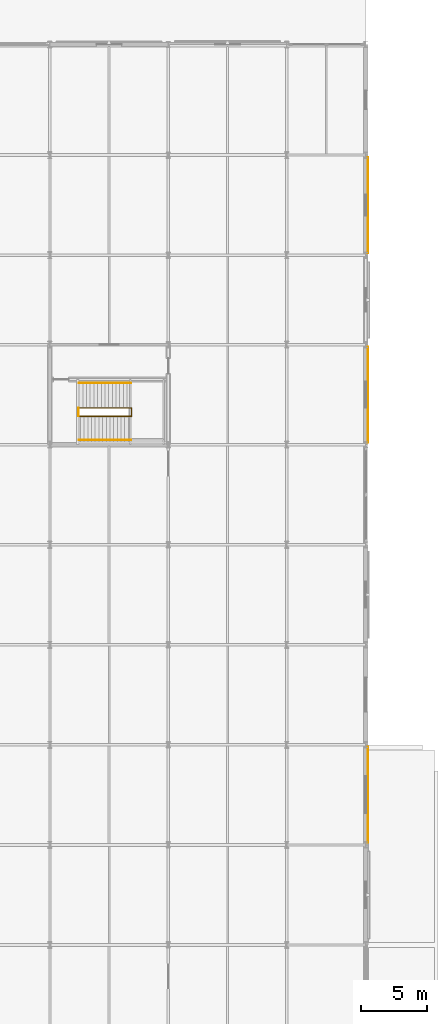
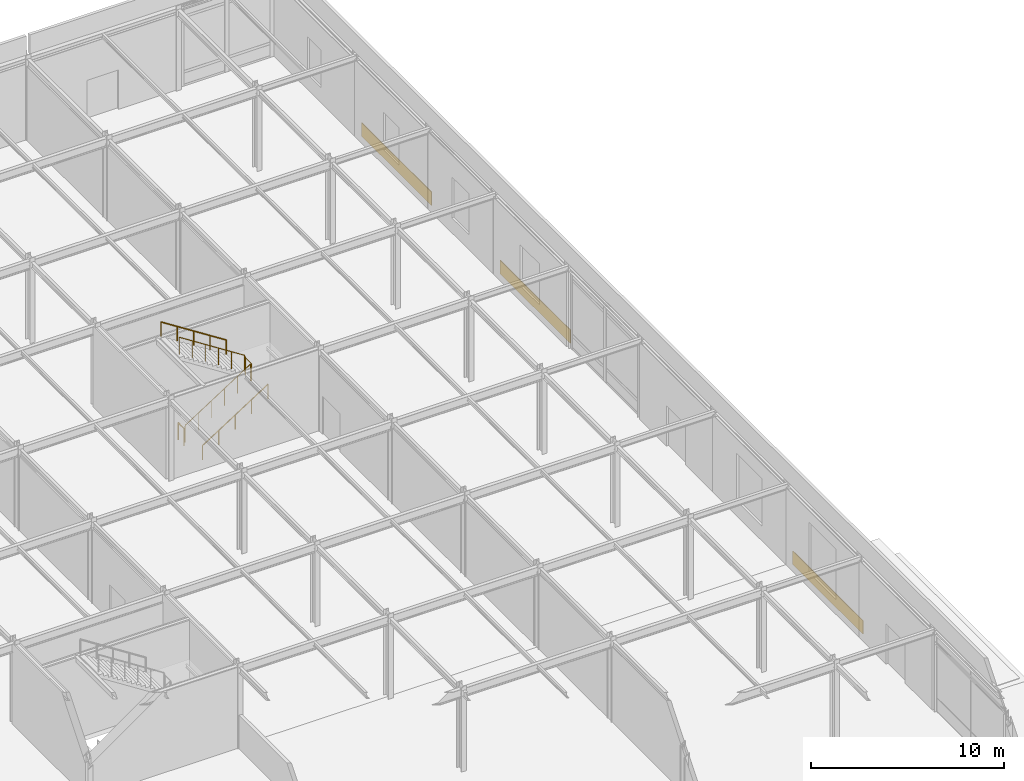
# One storey, part 88 of 89: 4 railings, 3 coverings.
"""IFC4 building model written with IfcOpenShell, lengths in metres."""

from ifc_helpers import new_model, si_unit, direction, frame, origin, origin_2d, place, context, subcontext, project, spatial, rectangle, circle, extrude, material, layer, layer_set, type_object, element, save


model = new_model("IFC4")

# Units and contexts
model_context = context("Model", 3, precision=1e-05, world=origin(), true_north=direction((0.0, 1.0)))
body_context = subcontext(model_context, "Body", "Model", "MODEL_VIEW")
ifc_project = project(units=[si_unit("LENGTHUNIT", "METRE"), si_unit("AREAUNIT", "SQUARE_METRE"), si_unit("VOLUMEUNIT", "CUBIC_METRE"), si_unit("PLANEANGLEUNIT", "RADIAN"), si_unit("MASSUNIT", "GRAM", prefix="KILO")], contexts=[model_context])

# Site, building, storey
site_placement = place(None, origin())
site = spatial("IfcSite", under=ifc_project, at=site_placement, CompositionType="ELEMENT")
building_placement = place(site_placement, origin())
building = spatial("IfcBuilding", under=site, at=building_placement, Name="Shalkamar Park Central Library", CompositionType="ELEMENT")
storey_placement = place(building_placement, origin())
storey = spatial("IfcBuildingStorey", under=building, at=storey_placement, Name="L01", CompositionType="ELEMENT", Elevation=0.0)

# Coverings
ifc_material_1 = material(Name="Granite and travertine stone cladding", Category="masonry")
ifc_layer = layer(ifc_material_1, 0.0400390625)
ifc_layer_set = layer_set([ifc_layer], Name="GraniteTravertineCladdingPanel")
covering_type = type_object("IfcCoveringType", Name="Granite Travertine Cladding Panel", PredefinedType="CLADDING", material=ifc_layer_set)
for number, where, z_axis, x_axis, name in (
    (1, (288.176025390625, 297.0, 0.0), (0.0, 0.0, 1.0), (1.0, 0.0, 0.0), "Granite and Travertine Cladding Panel L01-007"),
    (2, (288.176025390625, 327.39990234375, 0.0), (0.0, 0.0, 1.0), (1.0, 0.0, 0.0), "Granite and Travertine Cladding Panel L01-008"),
    (3, (288.176025390625, 341.800048828125, 0.0), (0.0, 0.0, 1.0), (1.0, 0.0, 0.0), "Granite and Travertine Cladding Panel L01-009"),
):
    element("IfcCovering", number, at=place(storey_placement, frame(where, z_axis=z_axis, x_axis=x_axis)), inside=storey, type_object=covering_type, Name=name, PredefinedType="CLADDING", context=body_context, shape_type="SweptSolid", body=[
        extrude(rectangle(XDim=0.0400390625, YDim=7.2880859375, at=origin_2d()), origin(), (0.0, 0.0, 1.0), 0.85009765625),
    ])

# Railings
ifc_material_2 = material(Name="Steel S355", Category="steel")
railing_type_1 = type_object("IfcRailingType", Name="Stair Guardrail 1100", PredefinedType="GUARDRAIL", material=ifc_material_2)
railing_1_placement = place(storey_placement, frame((266.22509765625, 325.764892578125, 0.179931640625)))
element("IfcRailing", 4, at=railing_1_placement, inside=storey, type_object=railing_type_1, Name="Stair Inner Well Guardrail ST-P6-L01", PredefinedType="GUARDRAIL", context=body_context, shape_type="SweptSolid", body=[
    extrude(circle(Radius=0.02392578125, at=origin_2d()), frame((0.0, 0.0, 1.076171875), z_axis=(0.841171666519, 0.0, 0.540768182723), x_axis=(0.0, 1.0, 0.0)), (0.0, 0.0, 1.0), 4.66015625),
    extrude(circle(Radius=0.02392578125, at=origin_2d()), frame((3.919921875, 0.0, 3.59619140625), z_axis=(1.0, 0.0, 0.0), x_axis=(0.0, 1.0, 0.0)), (0.0, 0.0, 1.0), 0.06005859375),
    extrude(circle(Radius=0.02392578125, at=origin_2d()), frame((3.97998046875, 0.0, 3.59619140625), z_axis=(0.0, 1.0, 0.0), x_axis=(-1.0, 0.0, 0.0)), (0.0, 0.0, 1.0), 0.6201171875),
    extrude(circle(Radius=0.02392578125, at=origin_2d()), frame((3.97998046875, 0.6201171875, 3.59619140625), z_axis=(-0.316613854282, 0.0, 0.948554514657), x_axis=(0.0, -1.0, 0.0)), (0.0, 0.0, 1.0), 0.189697265625),
    extrude(circle(Radius=0.02392578125, at=origin_2d()), frame((3.919921875, 0.6201171875, 3.77587890625), z_axis=(-0.841171666519, 0.0, 0.540768182723), x_axis=(0.0, -1.0, 0.0)), (0.0, 0.0, 1.0), 4.66015625),
    extrude(circle(Radius=0.02099609375, at=origin_2d()), origin(), (0.0, 0.0, 1.0), 1.052001953125),
    extrude(circle(Radius=0.02099609375, at=origin_2d()), frame((0.783935546875, 0.0, 0.50390625)), (0.0, 0.0, 1.0), 1.052001953125),
    extrude(circle(Radius=0.02099609375, at=origin_2d()), frame((1.56787109375, 0.0, 1.008056640625)), (0.0, 0.0, 1.0), 1.052001953125),
    extrude(circle(Radius=0.02099609375, at=origin_2d()), frame((2.35205078125, 0.0, 1.511962890625)), (0.0, 0.0, 1.0), 1.052001953125),
    extrude(circle(Radius=0.02099609375, at=origin_2d()), frame((3.135986328125, 0.0, 2.01611328125)), (0.0, 0.0, 1.0), 1.052001953125),
    extrude(circle(Radius=0.02099609375, at=origin_2d()), frame((3.919921875, 0.0, 2.52001953125)), (0.0, 0.0, 1.0), 1.052001953125),
    extrude(circle(Radius=0.02099609375, at=origin_2d()), frame((3.97998046875, 0.0, 2.52001953125)), (0.0, 0.0, 1.0), 1.052001953125),
    extrude(circle(Radius=0.02099609375, at=origin_2d()), frame((3.97998046875, 0.6201171875, 2.52001953125)), (0.0, 0.0, 1.0), 1.052001953125),
    extrude(circle(Radius=0.02099609375, at=origin_2d()), frame((3.919921875, 0.6201171875, 2.699951171875)), (0.0, 0.0, 1.0), 1.052001953125),
    extrude(circle(Radius=0.02099609375, at=origin_2d()), frame((3.135986328125, 0.6201171875, 3.203857421875)), (0.0, 0.0, 1.0), 1.052001953125),
    extrude(circle(Radius=0.02099609375, at=origin_2d()), frame((2.35205078125, 0.6201171875, 3.7080078125)), (0.0, 0.0, 1.0), 1.052001953125),
    extrude(circle(Radius=0.02099609375, at=origin_2d()), frame((1.56787109375, 0.6201171875, 4.2119140625)), (0.0, 0.0, 1.0), 1.052001953125),
    extrude(circle(Radius=0.02099609375, at=origin_2d()), frame((0.783935546875, 0.6201171875, 4.716064453125)), (0.0, 0.0, 1.0), 1.052001953125),
    extrude(circle(Radius=0.02099609375, at=origin_2d()), frame((0.0, 0.6201171875, 5.219970703125)), (0.0, 0.0, 1.0), 1.052001953125),
])
railing_2_placement = place(storey_placement, frame((266.1650390625, 325.77490234375, 0.0)))
element("IfcRailing", 5, at=railing_2_placement, inside=storey, type_object=railing_type_1, Name="Stair Arrival Well Guardrail ST-P6 (L01)", PredefinedType="GUARDRAIL", context=body_context, shape_type="SweptSolid", body=[
    extrude(circle(Radius=0.02392578125, at=origin_2d()), frame((0.0, 0.0, 1.076171875), z_axis=(0.0, 1.0, 0.0), x_axis=(-1.0, 0.0, 0.0)), (0.0, 0.0, 1.0), 0.60009765625),
    extrude(circle(Radius=0.02099609375, at=origin_2d()), origin(), (0.0, 0.0, 1.0), 1.052001953125),
    extrude(circle(Radius=0.02099609375, at=origin_2d()), frame((0.0, 0.60009765625, 0.0)), (0.0, 0.0, 1.0), 1.052001953125),
])
railing_type_2 = type_object("IfcRailingType", Name="Stair Pitched Handrail 920", PredefinedType="HANDRAIL", material=ifc_material_2)
railing_3_placement = place(storey_placement, frame((266.22509765625, 323.955078125, 0.179931640625)))
element("IfcRailing", 6, at=railing_3_placement, inside=storey, type_object=railing_type_2, Name="Stair Wall Handrail ST-P6-L01 Flight 1", PredefinedType="HANDRAIL", context=body_context, shape_type="SweptSolid", body=[
    extrude(circle(Radius=0.02392578125, at=origin_2d()), frame((0.0, 0.0, 0.89599609375), z_axis=(0.841171666519, 0.0, 0.540768182723), x_axis=(0.0, 1.0, 0.0)), (0.0, 0.0, 1.0), 4.66015625),
    extrude(circle(Radius=0.02099609375, at=origin_2d()), origin(), (0.0, 0.0, 1.0), 0.871826171875),
    extrude(circle(Radius=0.02099609375, at=origin_2d()), frame((0.97998046875, 0.0, 0.6298828125)), (0.0, 0.0, 1.0), 0.871826171875),
    extrude(circle(Radius=0.02099609375, at=origin_2d()), frame((1.9599609375, 0.0, 1.260009765625)), (0.0, 0.0, 1.0), 0.871826171875),
    extrude(circle(Radius=0.02099609375, at=origin_2d()), frame((2.93994140625, 0.0, 1.89013671875)), (0.0, 0.0, 1.0), 0.871826171875),
    extrude(circle(Radius=0.02099609375, at=origin_2d()), frame((3.919921875, 0.0, 2.52001953125)), (0.0, 0.0, 1.0), 0.871826171875),
])
railing_4_placement = place(storey_placement, frame((270.14501953125, 328.27490234375, 2.8798828125)))
element("IfcRailing", 7, at=railing_4_placement, inside=storey, type_object=railing_type_2, Name="Stair Wall Handrail ST-P6-L01 Flight 2", PredefinedType="HANDRAIL", context=body_context, shape_type="SweptSolid", body=[
    extrude(circle(Radius=0.02392578125, at=origin_2d()), frame((0.0, 0.0, 0.89599609375), z_axis=(-0.841171666519, 0.0, 0.540768182723), x_axis=(0.0, -1.0, 0.0)), (0.0, 0.0, 1.0), 4.66015625),
    extrude(circle(Radius=0.02099609375, at=origin_2d()), origin(), (0.0, 0.0, 1.0), 0.871826171875),
    extrude(circle(Radius=0.02099609375, at=origin_2d()), frame((-0.97998046875, 0.0, 0.6298828125)), (0.0, 0.0, 1.0), 0.871826171875),
    extrude(circle(Radius=0.02099609375, at=origin_2d()), frame((-1.9599609375, 0.0, 1.260009765625)), (0.0, 0.0, 1.0), 0.871826171875),
    extrude(circle(Radius=0.02099609375, at=origin_2d()), frame((-2.93994140625, 0.0, 1.89013671875)), (0.0, 0.0, 1.0), 0.871826171875),
    extrude(circle(Radius=0.02099609375, at=origin_2d()), frame((-3.919921875, 0.0, 2.52001953125)), (0.0, 0.0, 1.0), 0.871826171875),
])

save(model, "model.ifc")
